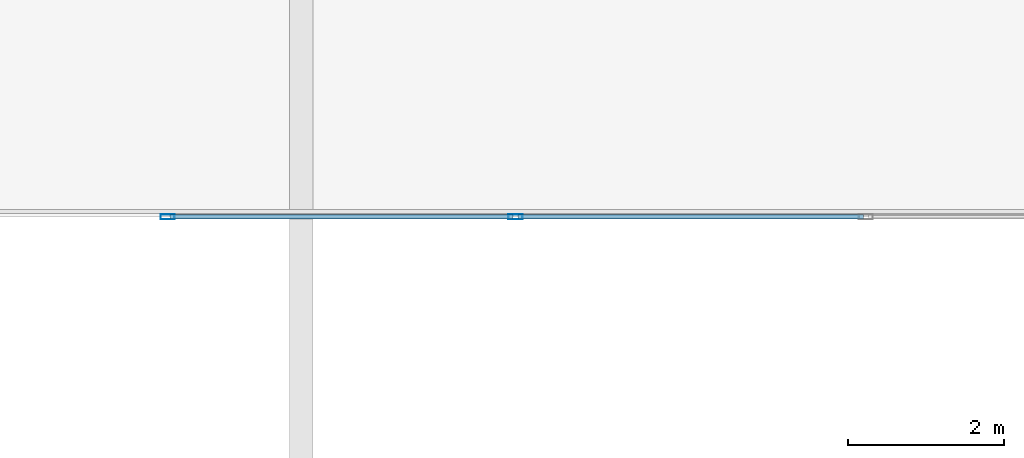
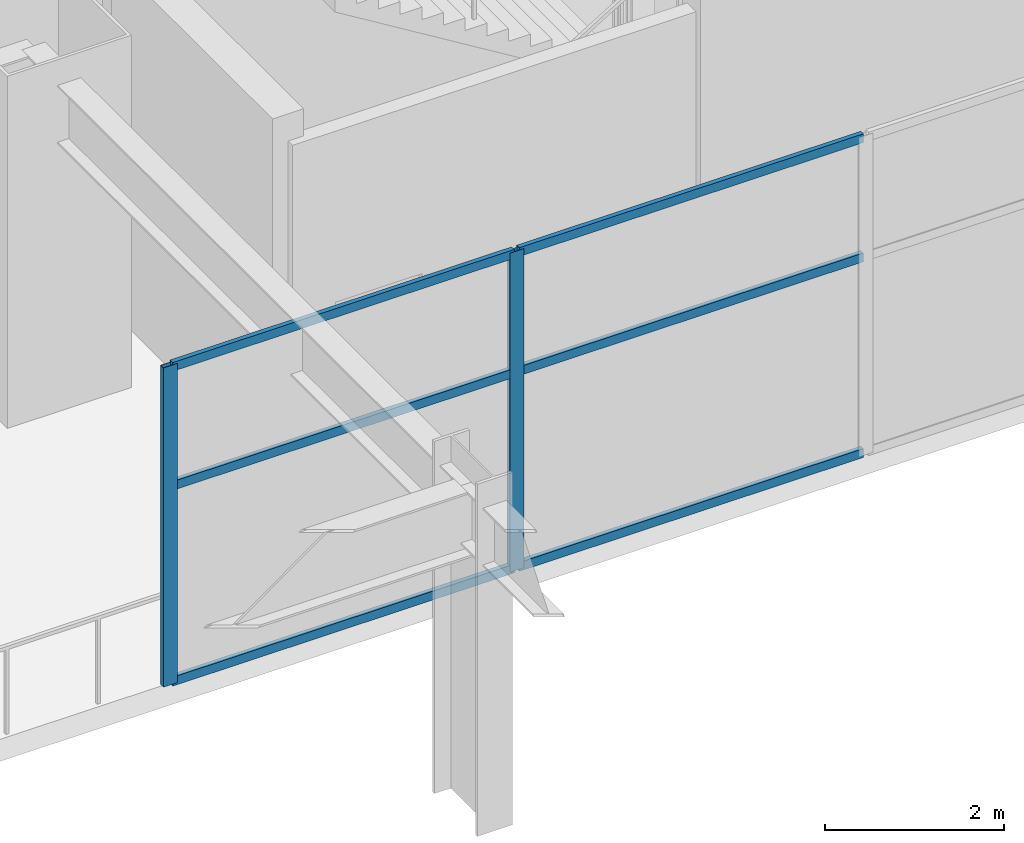
# One storey, part 8 of 35: 8 members, 1 element without a shape of its own.
"""IFC4 building model written with IfcOpenShell, lengths in metres."""

import ifcopenshell
import ifcopenshell.guid

model = None  # the IFC model being written
_history = None  # IfcOwnerHistory: only IFC2X3 demands one
_inside = {}  # id of a spatial element -> (the spatial element, [elements in it])
_under = {}  # id of a project, library or spatial element -> (it, [spatial elements below it])
_declared = {}  # id of a project -> (the project, [libraries it declares])
_typed = {}  # id of a type object -> (the type object, [elements of that type])
_made_of = {}  # id of a material, layer set ... -> (it, [elements and type objects made of it])


def new_model(schema):
    """Start an empty IFC model of exactly this schema.

    Asked for "IFC4X3", IfcOpenShell would pick the latest addendum, in which some entities
    have other attributes; the version numbers below select the first issue.
    IFC2X3 requires an IfcOwnerHistory on every rooted entity: one is made here for all.
    """
    global model, _history
    if schema == "IFC4X3":
        model = ifcopenshell.file(schema_version=(4, 3, 0, 0))
    else:
        model = ifcopenshell.file(schema=schema)
    _inside.clear()
    _under.clear()
    _declared.clear()
    _typed.clear()
    _made_of.clear()
    _history = None
    if model.schema == "IFC2X3":
        org = make("IfcOrganization", Name="unknown")
        user = make(
            "IfcPersonAndOrganization",
            ThePerson=make("IfcPerson", FamilyName="unknown"),
            TheOrganization=org,
        )
        app = make(
            "IfcApplication",
            ApplicationDeveloper=org,
            Version="unknown",
            ApplicationFullName="unknown",
            ApplicationIdentifier="unknown",
        )
        _history = make(
            "IfcOwnerHistory",
            OwningUser=user,
            OwningApplication=app,
            ChangeAction="ADDED",
            CreationDate=0,
        )
    return model


def make(cls, **values):
    """One entity of the class cls with the attributes given. An attribute that is None is left unset."""
    return model.create_entity(
        cls, **{name: value for name, value in values.items() if value is not None}
    )


def rooted(cls, **values):
    """An entity with a GlobalId (a new one), such as an element, a storey or a relation."""
    return make(cls, GlobalId=ifcopenshell.guid.new(), OwnerHistory=_history, **values)


def si_unit(unit_type, name, prefix=None):
    """IfcSIUnit, for example si_unit("LENGTHUNIT", "METRE", prefix="MILLI")."""
    return make("IfcSIUnit", UnitType=unit_type, Prefix=prefix, Name=name)


def assignment(units):
    """IfcUnitAssignment: the units of a project."""
    return None if units is None else make("IfcUnitAssignment", Units=units)


def point(xyz):
    """IfcCartesianPoint."""
    return None if xyz is None else make("IfcCartesianPoint", Coordinates=xyz)


def direction(xyz):
    """IfcDirection."""
    return None if xyz is None else make("IfcDirection", DirectionRatios=xyz)


def frame(location, z_axis=None, x_axis=None):
    """IfcAxis2Placement3D, a coordinate frame: its origin and axes. An axis left out is left unset."""
    return make(
        "IfcAxis2Placement3D",
        Location=point(location),
        Axis=direction(z_axis),
        RefDirection=direction(x_axis),
    )


def frame_2d(location, x_axis=None):
    """IfcAxis2Placement2D, a coordinate frame in the plane: its origin and x axis."""
    return make(
        "IfcAxis2Placement2D", Location=point(location), RefDirection=direction(x_axis)
    )


def origin():
    """The frame at (0, 0, 0) with its axes left unset."""
    return frame((0.0, 0.0, 0.0))


def origin_2d():
    """The frame at (0, 0) in the plane with its x axis left unset."""
    return frame_2d((0.0, 0.0))


def place(relative_to, where):
    """IfcLocalPlacement: puts the frame where relative to a parent placement (None: the world)."""
    return make(
        "IfcLocalPlacement", PlacementRelTo=relative_to, RelativePlacement=where
    )


def context(
    kind, dimensions, precision=None, world=None, true_north=None, identifier=None
):
    """IfcGeometricRepresentationContext, for example the 3D "Model" context."""
    return make(
        "IfcGeometricRepresentationContext",
        ContextIdentifier=identifier,
        ContextType=kind,
        CoordinateSpaceDimension=dimensions,
        Precision=precision,
        WorldCoordinateSystem=world,
        TrueNorth=true_north,
    )


def subcontext(parent, identifier, kind, view, scale=None):
    """IfcGeometricRepresentationSubContext, for example "Body" below "Model"."""
    return make(
        "IfcGeometricRepresentationSubContext",
        ContextIdentifier=identifier,
        ContextType=kind,
        ParentContext=parent,
        TargetScale=scale,
        TargetView=view,
    )


def project(units=None, contexts=None):
    """IfcProject with its units and contexts."""
    return rooted(
        "IfcProject",
        Name="project",
        RepresentationContexts=contexts,
        UnitsInContext=assignment(units),
    )


def spatial(cls, under=None, at=None, **own):
    """A site, building, storey or space (cls), placed at a placement, below another one or the project."""
    s = rooted(cls, ObjectPlacement=at, **own)
    if under is not None:
        _under.setdefault(under.id(), (under, []))[1].append(s)
    return s


def profile(cls, at=None, kind="AREA", **sizes):
    """A parametric profile (cls). Its sizes go by their IFC names, for example OverallWidth=200.0."""
    return make(cls, ProfileType=kind, Position=at, **sizes)


def hollow_rectangle(**sizes):
    """IfcRectangleHollowProfileDef."""
    return profile("IfcRectangleHollowProfileDef", **sizes)


def extrude(swept, where, along, depth):
    """IfcExtrudedAreaSolid: the profile swept, set in the frame where, extruded along a direction by depth."""
    return make(
        "IfcExtrudedAreaSolid",
        SweptArea=swept,
        Position=where,
        ExtrudedDirection=direction(along),
        Depth=depth,
    )


def shape(context_of_items, identifier, shape_type, items):
    """IfcShapeRepresentation: the items that make up one representation, for example the "Body"."""
    return make(
        "IfcShapeRepresentation",
        ContextOfItems=context_of_items,
        RepresentationIdentifier=identifier,
        RepresentationType=shape_type,
        Items=items,
    )


def material(Name=None, Category=None):
    """IfcMaterial."""
    return make("IfcMaterial", Name=Name, Category=Category)


def layer(
    of_material, thickness, ventilated=None, Name=None, Category=None, Priority=None
):
    """IfcMaterialLayer: one layer of a wall or slab, of a material (None: an air gap)."""
    return make(
        "IfcMaterialLayer",
        Material=of_material,
        LayerThickness=thickness,
        IsVentilated=ventilated,
        Name=Name,
        Category=Category,
        Priority=Priority,
    )


def layer_set(layers, Name=None):
    """IfcMaterialLayerSet."""
    return make("IfcMaterialLayerSet", MaterialLayers=layers, LayerSetName=Name)


def material_profile(
    of_material, cross_section, Name=None, Category=None, Priority=None
):
    """IfcMaterialProfile: a cross section and its material."""
    return make(
        "IfcMaterialProfile",
        Name=Name,
        Material=of_material,
        Profile=cross_section,
        Priority=Priority,
        Category=Category,
    )


def profile_set(profiles, Name=None, composite=None):
    """IfcMaterialProfileSet."""
    return make(
        "IfcMaterialProfileSet",
        Name=Name,
        MaterialProfiles=profiles,
        CompositeProfile=composite,
    )


def made_of(thing, what):
    """Note that an element or type object is made of a material, layer set ...; save() writes the relation."""
    if what is not None:
        _made_of.setdefault(what.id(), (what, []))[1].append(thing)
    return thing


def type_object(cls, material=None, **own):
    """A type object (cls), such as IfcWallType, which elements share."""
    return made_of(rooted(cls, **own), material)


def element(
    cls,
    number,
    at=None,
    inside=None,
    cuts=None,
    type_object=None,
    material=None,
    context=None,
    identifier="Body",
    shape_type=None,
    held_by="IfcProductDefinitionShape",
    body=None,
    shapes=None,
    **own,
):
    """One element of the class cls, such as IfcWall. Its Tag is "e" and its number.

    at: its placement. inside: the storey or other place that contains it. cuts: it is an
    opening in that element (IfcRelVoidsElement). A single representation is given by context,
    identifier, shape_type and body (its items); several are given by shapes. held_by: the class
    of the entity that holds the representations. save() writes the other relations.
    """
    e = rooted(cls, Tag="e%d" % number, ObjectPlacement=at, **own)
    if body is not None:
        shapes = [shape(context, identifier, shape_type, body)]
    if shapes is not None:
        e.Representation = make(held_by, Representations=shapes)
    if inside is not None:
        _inside.setdefault(inside.id(), (inside, []))[1].append(e)
    if cuts is not None:
        rooted(
            "IfcRelVoidsElement", RelatingBuildingElement=cuts, RelatedOpeningElement=e
        )
    if type_object is not None:
        _typed.setdefault(type_object.id(), (type_object, []))[1].append(e)
    return made_of(e, material)


def aggregate(whole, parts):
    """IfcRelAggregates: a whole, such as a stair, and the parts it consists of."""
    return rooted("IfcRelAggregates", RelatingObject=whole, RelatedObjects=parts)


def save(model, path):
    """Write the relations noted so far, then the file.

    IfcRelAggregates (storeys below a building ...), IfcRelContainedInSpatialStructure (elements
    in a storey), IfcRelDefinesByType, IfcRelAssociatesMaterial and IfcRelDeclares: one each for
    every whole, place, type object, material and project.
    """
    for whole, parts in _under.values():
        aggregate(whole, parts)
    for where, things in _inside.values():
        rooted(
            "IfcRelContainedInSpatialStructure",
            RelatedElements=things,
            RelatingStructure=where,
        )
    for kind, things in _typed.values():
        rooted("IfcRelDefinesByType", RelatedObjects=things, RelatingType=kind)
    for what, things in _made_of.values():
        rooted("IfcRelAssociatesMaterial", RelatedObjects=things, RelatingMaterial=what)
    for by, libraries in _declared.values():
        rooted("IfcRelDeclares", RelatingContext=by, RelatedDefinitions=libraries)
    model.write(path)


model = new_model("IFC4")

# Units and contexts
model_context = context("Model", 3, precision=1e-05, world=origin(), true_north=direction((0.0, 1.0)))
body_context = subcontext(model_context, "Body", "Model", "MODEL_VIEW")
ifc_project = project(units=[si_unit("LENGTHUNIT", "METRE"), si_unit("AREAUNIT", "SQUARE_METRE"), si_unit("VOLUMEUNIT", "CUBIC_METRE"), si_unit("PLANEANGLEUNIT", "RADIAN"), si_unit("MASSUNIT", "GRAM", prefix="KILO")], contexts=[model_context])

# Site, building, storey
site_placement = place(None, origin())
site = spatial("IfcSite", under=ifc_project, at=site_placement, CompositionType="ELEMENT")
building_placement = place(site_placement, origin())
building = spatial("IfcBuilding", under=site, at=building_placement, Name="Haevon Station Towers", CompositionType="ELEMENT")
storey_placement = place(building_placement, frame((0.0, 0.0, 20.39990234375)))
storey = spatial("IfcBuildingStorey", under=building, at=storey_placement, Name="L04", CompositionType="ELEMENT", Elevation=20.39990234375)

# Curtain wall, members
ifc_material_1 = material(Name="Anodised aluminium and Low-E double glazing", Category="aluminium")
ifc_layer = layer(ifc_material_1, 0.179931640625)
ifc_layer_set = layer_set([ifc_layer], Name="Anodised aluminium and Low-E double glazing")
curtain_wall_type = type_object("IfcCurtainWallType", Name="CW-SYS2", PredefinedType="NOTDEFINED", material=ifc_layer_set)
curtain_wall_placement = place(storey_placement, origin())
curtain_wall = element("IfcCurtainWall", 1, at=curtain_wall_placement, inside=storey, type_object=curtain_wall_type, Name="L04 Curtain Wall CW-POD-L04-ATRN", PredefinedType="NOTDEFINED")
ifc_material_2 = material(Name="Anodised aluminium 6063-T6", Category="aluminium")
ifc_material_profile_1 = material_profile(ifc_material_2, hollow_rectangle(XDim=0.06494140625, YDim=0.179931640625, WallThickness=0.00390625, at=origin_2d()), Name="CWM-180x65x4")
ifc_profile_set_1 = profile_set([ifc_material_profile_1], Name="Anodised aluminium 6063-T6")
member_type_1 = type_object("IfcMemberType", Name="CWM-180", PredefinedType="MULLION", material=ifc_profile_set_1)
member_1_placement = place(storey_placement, frame((63.032470703125, 42.0, 0.0), z_axis=(0.0, 0.0, 1.0), x_axis=(0.0, 1.0, 0.0)))
member_1 = element("IfcMember", 2, at=member_1_placement, type_object=member_type_1, Name="CW-SYS2 mullion 1", PredefinedType="MULLION", context=body_context, shape_type="SweptSolid", body=[
    extrude(hollow_rectangle(XDim=0.06494140625, YDim=0.179931640625, WallThickness=0.00390625, at=origin_2d()), origin(), (0.0, 0.0, 1.0), 4.35009765625),
])
member_2_placement = place(storey_placement, frame((67.5, 42.0, 0.0), z_axis=(0.0, 0.0, 1.0), x_axis=(0.0, 1.0, 0.0)))
member_2 = element("IfcMember", 3, at=member_2_placement, type_object=member_type_1, Name="CW-SYS2 mullion 2", PredefinedType="MULLION", context=body_context, shape_type="SweptSolid", body=[
    extrude(hollow_rectangle(XDim=0.06494140625, YDim=0.179931640625, WallThickness=0.00390625, at=origin_2d()), origin(), (0.0, 0.0, 1.0), 4.35009765625),
])
ifc_material_profile_2 = material_profile(ifc_material_2, hollow_rectangle(XDim=0.06005859375, YDim=0.1201171875, WallThickness=0.0029296875, at=origin_2d()), Name="CWT-120x60x3")
ifc_profile_set_2 = profile_set([ifc_material_profile_2], Name="Anodised aluminium 6063-T6")
member_type_2 = type_object("IfcMemberType", Name="CWT-120", PredefinedType="USERDEFINED", material=ifc_profile_set_2)
member_3_placement = place(storey_placement, frame((63.06494140625, 42.0, 0.030029296875), z_axis=(1.0, 0.0, 0.0), x_axis=(0.0, 1.0, 0.0)))
member_3 = element("IfcMember", 4, at=member_3_placement, type_object=member_type_2, Name="CW-SYS2 transom 1.1", ObjectType="TRANSOM", PredefinedType="USERDEFINED", context=body_context, shape_type="SweptSolid", body=[
    extrude(hollow_rectangle(XDim=0.06005859375, YDim=0.1201171875, WallThickness=0.0029296875, at=origin_2d()), origin(), (0.0, 0.0, 1.0), 4.402587890625),
])
member_4_placement = place(storey_placement, frame((63.06494140625, 42.0, 2.697021484375), z_axis=(1.0, 0.0, 0.0), x_axis=(0.0, 1.0, 0.0)))
member_4 = element("IfcMember", 5, at=member_4_placement, type_object=member_type_2, Name="CW-SYS2 transom 1.2", ObjectType="TRANSOM", PredefinedType="USERDEFINED", context=body_context, shape_type="SweptSolid", body=[
    extrude(hollow_rectangle(XDim=0.06005859375, YDim=0.1201171875, WallThickness=0.0029296875, at=origin_2d()), origin(), (0.0, 0.0, 1.0), 4.402587890625),
])
member_5_placement = place(storey_placement, frame((63.06494140625, 42.0, 4.320068359375), z_axis=(1.0, 0.0, 0.0), x_axis=(0.0, 1.0, 0.0)))
member_5 = element("IfcMember", 6, at=member_5_placement, type_object=member_type_2, Name="CW-SYS2 transom 1.3", ObjectType="TRANSOM", PredefinedType="USERDEFINED", context=body_context, shape_type="SweptSolid", body=[
    extrude(hollow_rectangle(XDim=0.06005859375, YDim=0.1201171875, WallThickness=0.0029296875, at=origin_2d()), origin(), (0.0, 0.0, 1.0), 4.402587890625),
])
member_6_placement = place(storey_placement, frame((67.532470703125, 42.0, 0.030029296875), z_axis=(1.0, 0.0, 0.0), x_axis=(0.0, 1.0, 0.0)))
member_6 = element("IfcMember", 7, at=member_6_placement, type_object=member_type_2, Name="CW-SYS2 transom 2.1", ObjectType="TRANSOM", PredefinedType="USERDEFINED", context=body_context, shape_type="SweptSolid", body=[
    extrude(hollow_rectangle(XDim=0.06005859375, YDim=0.1201171875, WallThickness=0.0029296875, at=origin_2d()), origin(), (0.0, 0.0, 1.0), 4.43505859375),
])
member_7_placement = place(storey_placement, frame((67.532470703125, 42.0, 2.697021484375), z_axis=(1.0, 0.0, 0.0), x_axis=(0.0, 1.0, 0.0)))
member_7 = element("IfcMember", 8, at=member_7_placement, type_object=member_type_2, Name="CW-SYS2 transom 2.2", ObjectType="TRANSOM", PredefinedType="USERDEFINED", context=body_context, shape_type="SweptSolid", body=[
    extrude(hollow_rectangle(XDim=0.06005859375, YDim=0.1201171875, WallThickness=0.0029296875, at=origin_2d()), origin(), (0.0, 0.0, 1.0), 4.43505859375),
])
member_8_placement = place(storey_placement, frame((67.532470703125, 42.0, 4.320068359375), z_axis=(1.0, 0.0, 0.0), x_axis=(0.0, 1.0, 0.0)))
member_8 = element("IfcMember", 9, at=member_8_placement, type_object=member_type_2, Name="CW-SYS2 transom 2.3", ObjectType="TRANSOM", PredefinedType="USERDEFINED", context=body_context, shape_type="SweptSolid", body=[
    extrude(hollow_rectangle(XDim=0.06005859375, YDim=0.1201171875, WallThickness=0.0029296875, at=origin_2d()), origin(), (0.0, 0.0, 1.0), 4.43505859375),
])
aggregate(curtain_wall, [member_1, member_2, member_3, member_4, member_5, member_6, member_7, member_8])

save(model, "model.ifc")
